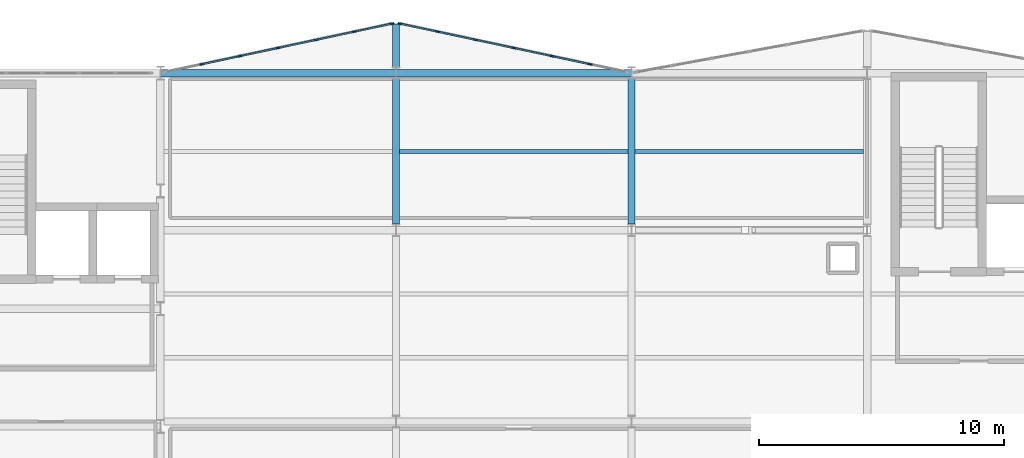
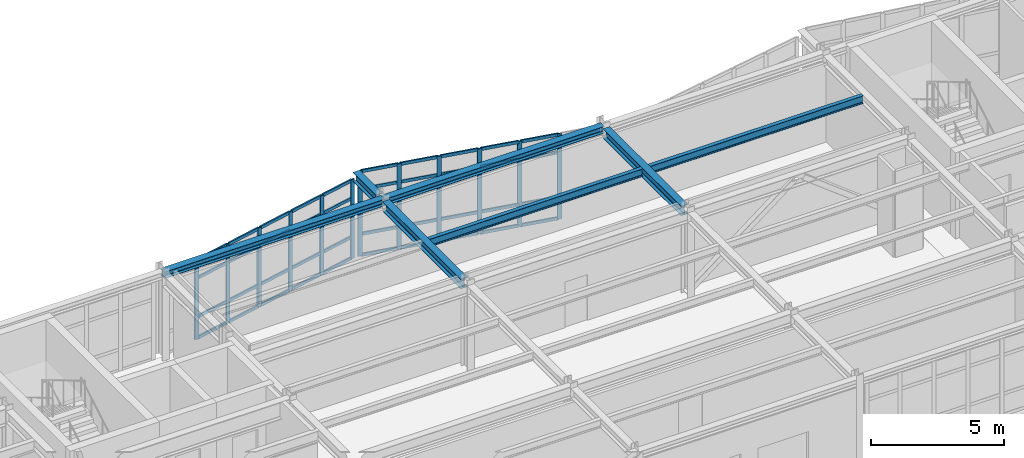
# One storey, part 37 of 88: 52 members, 7 beams, 2 elements without a shape of their own.
"""IFC4 building model written with IfcOpenShell, lengths in metres."""

from ifc_helpers import new_model, si_unit, direction, frame, origin, origin_2d, place, context, subcontext, project, spatial, rectangle, i_section, extrude, material, layer, layer_set, material_profile, profile_set, type_object, element, aggregate, save


model = new_model("IFC4")

# Units and contexts
model_context = context("Model", 3, precision=1e-05, world=origin(), true_north=direction((0.0, 1.0)))
body_context = subcontext(model_context, "Body", "Model", "MODEL_VIEW")
ifc_project = project(units=[si_unit("LENGTHUNIT", "METRE"), si_unit("AREAUNIT", "SQUARE_METRE"), si_unit("VOLUMEUNIT", "CUBIC_METRE"), si_unit("PLANEANGLEUNIT", "RADIAN"), si_unit("MASSUNIT", "GRAM", prefix="KILO")], contexts=[model_context])

# Site, building, storey
site_placement = place(None, origin())
site = spatial("IfcSite", under=ifc_project, at=site_placement, CompositionType="ELEMENT")
building_placement = place(site_placement, origin())
building = spatial("IfcBuilding", under=site, at=building_placement, Name="Nordkorset Police Headquarters", CompositionType="ELEMENT")
storey_placement = place(building_placement, frame((0.0, 0.0, 9.449951171875)))
storey = spatial("IfcBuildingStorey", under=building, at=storey_placement, Name="L02", CompositionType="ELEMENT", Elevation=9.449951171875)

# Beams
ifc_material_1 = material(Name="Steel S355J2", Category="steel")
ifc_material_profile_1 = material_profile(ifc_material_1, i_section(OverallWidth=0.169921875, OverallDepth=0.360107421875, WebThickness=0.008056640625, FlangeThickness=0.0126953125, FilletRadius=0.01806640625, at=origin_2d()), Name="IPE 360")
ifc_profile_set_1 = profile_set([ifc_material_profile_1], Name="Steel S355J2")
beam_type_1 = type_object("IfcBeamType", Name="Beam_IPE_360", PredefinedType="BEAM", material=ifc_profile_set_1)
for number, where, z_axis, x_axis, name in (
    (1, (38.550048828125, 113.60009765625, 3.7900390625), (1.0, 0.0, 0.0), (0.0, 1.0, 0.0), "Composite Floor Beam V2 L02 1-2-1"),
    (2, (48.14990234375, 113.60009765625, 3.7900390625), (1.0, 0.0, 0.0), (0.0, 1.0, 0.0), "Composite Floor Beam V2 L02 2-2-1"),
):
    element("IfcBeam", number, at=place(storey_placement, frame(where, z_axis=z_axis, x_axis=x_axis)), inside=storey, type_object=beam_type_1, Name=name, PredefinedType="BEAM", context=body_context, shape_type="SweptSolid", body=[
        extrude(i_section(OverallWidth=0.169921875, OverallDepth=0.360107421875, WebThickness=0.008056640625, FlangeThickness=0.0126953125, FilletRadius=0.01806640625, at=origin_2d()), origin(), (0.0, 0.0, 1.0), 9.300048828125),
    ])

# Curtain wall, members
ifc_material_2 = material(Name="Aluminium alloy AW-6060", Category="aluminium")
ifc_layer_1 = layer(ifc_material_2, 0.179931640625, Name="Aluminium alloy AW-6060")
ifc_layer_set_1 = layer_set([ifc_layer_1], Name="Aluminium alloy AW-6060")
curtain_wall_type_1 = type_object("IfcCurtainWallType", Name="CW_Unit_954x364", PredefinedType="USERDEFINED", material=ifc_layer_set_1)
curtain_wall_1_placement = place(storey_placement, origin())
curtain_wall_1 = element("IfcCurtainWall", 3, at=curtain_wall_1_placement, inside=storey, type_object=curtain_wall_type_1, Name="Unitised Curtain Wall L02 V2N-0", ObjectType="UNITISED CURTAIN WALL", PredefinedType="USERDEFINED")
ifc_material_3 = material(Name="Aluminium alloy AW-6060", Category="aluminium")
ifc_material_profile_2 = material_profile(ifc_material_3, rectangle(XDim=0.06494140625, YDim=0.179931640625, at=origin_2d()), Name="ALU MULL 65x180")
ifc_profile_set_2 = profile_set([ifc_material_profile_2], Name="Aluminium alloy AW-6060")
member_type_1 = type_object("IfcMemberType", Name="CW_Mullion_65x180", PredefinedType="MULLION", material=ifc_profile_set_2)
member_1_placement = place(storey_placement, frame((30.4912109375, 117.1611328125, 0.0), z_axis=(0.0, 0.0, 1.0), x_axis=(-0.208832534289, 0.977951416289, 0.0)))
member_1 = element("IfcMember", 4, at=member_1_placement, type_object=member_type_1, Name="CW-25 mullion 2", PredefinedType="MULLION", context=body_context, shape_type="SweptSolid", body=[
    extrude(rectangle(XDim=0.06494140625, YDim=0.179931640625, at=origin_2d()), origin(), (0.0, 0.0, 1.0), 3.64013671875),
])
member_2_placement = place(storey_placement, frame((32.045654296875, 117.4931640625, 0.0), z_axis=(0.0, 0.0, 1.0), x_axis=(-0.208832534289, 0.977951416289, 0.0)))
member_2 = element("IfcMember", 5, at=member_2_placement, type_object=member_type_1, Name="CW-25 mullion 3", PredefinedType="MULLION", context=body_context, shape_type="SweptSolid", body=[
    extrude(rectangle(XDim=0.06494140625, YDim=0.179931640625, at=origin_2d()), origin(), (0.0, 0.0, 1.0), 3.64013671875),
])
member_3_placement = place(storey_placement, frame((33.60009765625, 117.824951171875, 0.0), z_axis=(0.0, 0.0, 1.0), x_axis=(-0.208832534289, 0.977951416289, 0.0)))
member_3 = element("IfcMember", 6, at=member_3_placement, type_object=member_type_1, Name="CW-25 mullion 4", PredefinedType="MULLION", context=body_context, shape_type="SweptSolid", body=[
    extrude(rectangle(XDim=0.06494140625, YDim=0.179931640625, at=origin_2d()), origin(), (0.0, 0.0, 1.0), 3.64013671875),
])
member_4_placement = place(storey_placement, frame((35.154296875, 118.156982421875, 0.0), z_axis=(0.0, 0.0, 1.0), x_axis=(-0.208832534289, 0.977951416289, 0.0)))
member_4 = element("IfcMember", 7, at=member_4_placement, type_object=member_type_1, Name="CW-25 mullion 5", PredefinedType="MULLION", context=body_context, shape_type="SweptSolid", body=[
    extrude(rectangle(XDim=0.06494140625, YDim=0.179931640625, at=origin_2d()), origin(), (0.0, 0.0, 1.0), 3.64013671875),
])
member_5_placement = place(storey_placement, frame((36.708740234375, 118.48876953125, 0.0), z_axis=(0.0, 0.0, 1.0), x_axis=(-0.208832534289, 0.977951416289, 0.0)))
member_5 = element("IfcMember", 8, at=member_5_placement, type_object=member_type_1, Name="CW-25 mullion 6", PredefinedType="MULLION", context=body_context, shape_type="SweptSolid", body=[
    extrude(rectangle(XDim=0.06494140625, YDim=0.179931640625, at=origin_2d()), origin(), (0.0, 0.0, 1.0), 3.64013671875),
])
member_6_placement = place(storey_placement, frame((38.231201171875, 118.81396484375, 0.0), z_axis=(0.0, 0.0, 1.0), x_axis=(-0.208832534289, 0.977951416289, 0.0)))
member_6 = element("IfcMember", 9, at=member_6_placement, type_object=member_type_1, Name="CW-25 mullion 7", PredefinedType="MULLION", context=body_context, shape_type="SweptSolid", body=[
    extrude(rectangle(XDim=0.06494140625, YDim=0.179931640625, at=origin_2d()), origin(), (0.0, 0.0, 1.0), 3.64013671875),
])

ifc_material_4 = material(Name="Aluminium alloy AW-6060", Category="aluminium")
ifc_layer_2 = layer(ifc_material_4, 0.179931640625, Name="Aluminium alloy AW-6060")
ifc_layer_set_2 = layer_set([ifc_layer_2], Name="Aluminium alloy AW-6060")
curtain_wall_type_2 = type_object("IfcCurtainWallType", Name="CW_Unit_954x392", PredefinedType="USERDEFINED", material=ifc_layer_set_2)
curtain_wall_2_placement = place(storey_placement, origin())
curtain_wall_2 = element("IfcCurtainWall", 10, at=curtain_wall_2_placement, inside=storey, type_object=curtain_wall_type_2, Name="Unitised Curtain Wall L02 V2N-1", ObjectType="UNITISED CURTAIN WALL", PredefinedType="USERDEFINED")
member_7_placement = place(storey_placement, frame((38.568603515625, 118.81396484375, 0.0), z_axis=(0.0, 0.0, 1.0), x_axis=(0.208832534289, 0.977951416289, 0.0)))
member_7 = element("IfcMember", 11, at=member_7_placement, type_object=member_type_1, Name="CW-20 mullion 1", PredefinedType="MULLION", context=body_context, shape_type="SweptSolid", body=[
    extrude(rectangle(XDim=0.06494140625, YDim=0.179931640625, at=origin_2d()), origin(), (0.0, 0.0, 1.0), 3.920166015625),
])
member_8_placement = place(storey_placement, frame((40.09130859375, 118.48876953125, 0.0), z_axis=(0.0, 0.0, 1.0), x_axis=(0.208832534289, 0.977951416289, 0.0)))
member_8 = element("IfcMember", 12, at=member_8_placement, type_object=member_type_1, Name="CW-20 mullion 2", PredefinedType="MULLION", context=body_context, shape_type="SweptSolid", body=[
    extrude(rectangle(XDim=0.06494140625, YDim=0.179931640625, at=origin_2d()), origin(), (0.0, 0.0, 1.0), 3.920166015625),
])
member_9_placement = place(storey_placement, frame((41.645751953125, 118.156982421875, 0.0), z_axis=(0.0, 0.0, 1.0), x_axis=(0.208832534289, 0.977951416289, 0.0)))
member_9 = element("IfcMember", 13, at=member_9_placement, type_object=member_type_1, Name="CW-20 mullion 3", PredefinedType="MULLION", context=body_context, shape_type="SweptSolid", body=[
    extrude(rectangle(XDim=0.06494140625, YDim=0.179931640625, at=origin_2d()), origin(), (0.0, 0.0, 1.0), 3.920166015625),
])
member_10_placement = place(storey_placement, frame((43.199951171875, 117.824951171875, 0.0), z_axis=(0.0, 0.0, 1.0), x_axis=(0.208832534289, 0.977951416289, 0.0)))
member_10 = element("IfcMember", 14, at=member_10_placement, type_object=member_type_1, Name="CW-20 mullion 4", PredefinedType="MULLION", context=body_context, shape_type="SweptSolid", body=[
    extrude(rectangle(XDim=0.06494140625, YDim=0.179931640625, at=origin_2d()), origin(), (0.0, 0.0, 1.0), 3.920166015625),
])
member_11_placement = place(storey_placement, frame((44.75439453125, 117.4931640625, 0.0), z_axis=(0.0, 0.0, 1.0), x_axis=(0.208832534289, 0.977951416289, 0.0)))
member_11 = element("IfcMember", 15, at=member_11_placement, type_object=member_type_1, Name="CW-20 mullion 5", PredefinedType="MULLION", context=body_context, shape_type="SweptSolid", body=[
    extrude(rectangle(XDim=0.06494140625, YDim=0.179931640625, at=origin_2d()), origin(), (0.0, 0.0, 1.0), 3.920166015625),
])
member_12_placement = place(storey_placement, frame((46.308837890625, 117.1611328125, 0.0), z_axis=(0.0, 0.0, 1.0), x_axis=(0.208832534289, 0.977951416289, 0.0)))
member_12 = element("IfcMember", 16, at=member_12_placement, type_object=member_type_1, Name="CW-20 mullion 6", PredefinedType="MULLION", context=body_context, shape_type="SweptSolid", body=[
    extrude(rectangle(XDim=0.06494140625, YDim=0.179931640625, at=origin_2d()), origin(), (0.0, 0.0, 1.0), 3.920166015625),
])

# Member
ifc_material_5 = material(Name="Aluminium alloy AW-6060", Category="aluminium")
ifc_material_profile_3 = material_profile(ifc_material_5, rectangle(XDim=0.06494140625, YDim=0.139892578125, at=origin_2d()), Name="ALU TRAN 65x140")
ifc_profile_set_3 = profile_set([ifc_material_profile_3], Name="Aluminium alloy AW-6060")
member_type_2 = type_object("IfcMemberType", Name="CW_Transom_65x140", PredefinedType="USERDEFINED", material=ifc_profile_set_3)
member_13_placement = place(storey_placement, frame((30.52294921875, 117.16796875, 0.032470703125), z_axis=(0.977954480787, 0.208818182896, 0.0), x_axis=(-0.208818182896, 0.977954480787, 0.0)))
member_13 = element("IfcMember", 17, at=member_13_placement, type_object=member_type_2, Name="CW-25 transom 2.1", ObjectType="TRANSOM", PredefinedType="USERDEFINED", context=body_context, shape_type="SweptSolid", body=[
    extrude(rectangle(XDim=0.06494140625, YDim=0.139892578125, at=origin_2d()), origin(), (0.0, 0.0, 1.0), 1.524658203125),
])

member_14_placement = place(storey_placement, frame((30.52294921875, 117.16796875, 1.0), z_axis=(0.977954480787, 0.208818182896, 0.0), x_axis=(-0.208818182896, 0.977954480787, 0.0)))
member_14 = element("IfcMember", 18, at=member_14_placement, type_object=member_type_2, Name="CW-25 transom 2.2", ObjectType="TRANSOM", PredefinedType="USERDEFINED", context=body_context, shape_type="SweptSolid", body=[
    extrude(rectangle(XDim=0.06494140625, YDim=0.139892578125, at=origin_2d()), origin(), (0.0, 0.0, 1.0), 1.524658203125),
])

member_15_placement = place(storey_placement, frame((30.52294921875, 117.16796875, 2.7900390625), z_axis=(0.977954480787, 0.208818182896, 0.0), x_axis=(-0.208818182896, 0.977954480787, 0.0)))
member_15 = element("IfcMember", 19, at=member_15_placement, type_object=member_type_2, Name="CW-25 transom 2.3", ObjectType="TRANSOM", PredefinedType="USERDEFINED", context=body_context, shape_type="SweptSolid", body=[
    extrude(rectangle(XDim=0.06494140625, YDim=0.139892578125, at=origin_2d()), origin(), (0.0, 0.0, 1.0), 1.524658203125),
])

member_16_placement = place(storey_placement, frame((30.52294921875, 117.16796875, 3.607666015625), z_axis=(0.977954480787, 0.208818182896, 0.0), x_axis=(-0.208818182896, 0.977954480787, 0.0)))
member_16 = element("IfcMember", 20, at=member_16_placement, type_object=member_type_2, Name="CW-25 transom 2.4", ObjectType="TRANSOM", PredefinedType="USERDEFINED", context=body_context, shape_type="SweptSolid", body=[
    extrude(rectangle(XDim=0.06494140625, YDim=0.139892578125, at=origin_2d()), origin(), (0.0, 0.0, 1.0), 1.524658203125),
])

member_17_placement = place(storey_placement, frame((32.077392578125, 117.499755859375, 0.032470703125), z_axis=(0.977947496383, 0.208850890154, 0.0), x_axis=(-0.208850890154, 0.977947496383, 0.0)))
member_17 = element("IfcMember", 21, at=member_17_placement, type_object=member_type_2, Name="CW-25 transom 3.1", ObjectType="TRANSOM", PredefinedType="USERDEFINED", context=body_context, shape_type="SweptSolid", body=[
    extrude(rectangle(XDim=0.06494140625, YDim=0.139892578125, at=origin_2d()), origin(), (0.0, 0.0, 1.0), 1.5244140625),
])

member_18_placement = place(storey_placement, frame((32.077392578125, 117.499755859375, 1.0), z_axis=(0.977947496383, 0.208850890154, 0.0), x_axis=(-0.208850890154, 0.977947496383, 0.0)))
member_18 = element("IfcMember", 22, at=member_18_placement, type_object=member_type_2, Name="CW-25 transom 3.2", ObjectType="TRANSOM", PredefinedType="USERDEFINED", context=body_context, shape_type="SweptSolid", body=[
    extrude(rectangle(XDim=0.06494140625, YDim=0.139892578125, at=origin_2d()), origin(), (0.0, 0.0, 1.0), 1.5244140625),
])

member_19_placement = place(storey_placement, frame((32.077392578125, 117.499755859375, 2.7900390625), z_axis=(0.977947496383, 0.208850890154, 0.0), x_axis=(-0.208850890154, 0.977947496383, 0.0)))
member_19 = element("IfcMember", 23, at=member_19_placement, type_object=member_type_2, Name="CW-25 transom 3.3", ObjectType="TRANSOM", PredefinedType="USERDEFINED", context=body_context, shape_type="SweptSolid", body=[
    extrude(rectangle(XDim=0.06494140625, YDim=0.139892578125, at=origin_2d()), origin(), (0.0, 0.0, 1.0), 1.5244140625),
])

member_20_placement = place(storey_placement, frame((32.077392578125, 117.499755859375, 3.607666015625), z_axis=(0.977947496383, 0.208850890154, 0.0), x_axis=(-0.208850890154, 0.977947496383, 0.0)))
member_20 = element("IfcMember", 24, at=member_20_placement, type_object=member_type_2, Name="CW-25 transom 3.4", ObjectType="TRANSOM", PredefinedType="USERDEFINED", context=body_context, shape_type="SweptSolid", body=[
    extrude(rectangle(XDim=0.06494140625, YDim=0.139892578125, at=origin_2d()), origin(), (0.0, 0.0, 1.0), 1.5244140625),
])

member_21_placement = place(storey_placement, frame((33.6318359375, 117.831787109375, 0.032470703125), z_axis=(0.977947496383, 0.208850890154, 0.0), x_axis=(-0.208850890154, 0.977947496383, 0.0)))
member_21 = element("IfcMember", 25, at=member_21_placement, type_object=member_type_2, Name="CW-25 transom 4.1", ObjectType="TRANSOM", PredefinedType="USERDEFINED", context=body_context, shape_type="SweptSolid", body=[
    extrude(rectangle(XDim=0.06494140625, YDim=0.139892578125, at=origin_2d()), origin(), (0.0, 0.0, 1.0), 1.5244140625),
])

member_22_placement = place(storey_placement, frame((33.6318359375, 117.831787109375, 1.0), z_axis=(0.977947496383, 0.208850890154, 0.0), x_axis=(-0.208850890154, 0.977947496383, 0.0)))
member_22 = element("IfcMember", 26, at=member_22_placement, type_object=member_type_2, Name="CW-25 transom 4.2", ObjectType="TRANSOM", PredefinedType="USERDEFINED", context=body_context, shape_type="SweptSolid", body=[
    extrude(rectangle(XDim=0.06494140625, YDim=0.139892578125, at=origin_2d()), origin(), (0.0, 0.0, 1.0), 1.5244140625),
])

member_23_placement = place(storey_placement, frame((33.6318359375, 117.831787109375, 2.7900390625), z_axis=(0.977947496383, 0.208850890154, 0.0), x_axis=(-0.208850890154, 0.977947496383, 0.0)))
member_23 = element("IfcMember", 27, at=member_23_placement, type_object=member_type_2, Name="CW-25 transom 4.3", ObjectType="TRANSOM", PredefinedType="USERDEFINED", context=body_context, shape_type="SweptSolid", body=[
    extrude(rectangle(XDim=0.06494140625, YDim=0.139892578125, at=origin_2d()), origin(), (0.0, 0.0, 1.0), 1.5244140625),
])

member_24_placement = place(storey_placement, frame((33.6318359375, 117.831787109375, 3.607666015625), z_axis=(0.977947496383, 0.208850890154, 0.0), x_axis=(-0.208850890154, 0.977947496383, 0.0)))
member_24 = element("IfcMember", 28, at=member_24_placement, type_object=member_type_2, Name="CW-25 transom 4.4", ObjectType="TRANSOM", PredefinedType="USERDEFINED", context=body_context, shape_type="SweptSolid", body=[
    extrude(rectangle(XDim=0.06494140625, YDim=0.139892578125, at=origin_2d()), origin(), (0.0, 0.0, 1.0), 1.5244140625),
])

member_25_placement = place(storey_placement, frame((35.18603515625, 118.163818359375, 0.032470703125), z_axis=(0.97798717214, 0.208665021336, 0.0), x_axis=(-0.208665021336, 0.97798717214, 0.0)))
member_25 = element("IfcMember", 29, at=member_25_placement, type_object=member_type_2, Name="CW-25 transom 5.1", ObjectType="TRANSOM", PredefinedType="USERDEFINED", context=body_context, shape_type="SweptSolid", body=[
    extrude(rectangle(XDim=0.06494140625, YDim=0.139892578125, at=origin_2d()), origin(), (0.0, 0.0, 1.0), 1.5244140625),
])

member_26_placement = place(storey_placement, frame((35.18603515625, 118.163818359375, 1.0), z_axis=(0.97798717214, 0.208665021336, 0.0), x_axis=(-0.208665021336, 0.97798717214, 0.0)))
member_26 = element("IfcMember", 30, at=member_26_placement, type_object=member_type_2, Name="CW-25 transom 5.2", ObjectType="TRANSOM", PredefinedType="USERDEFINED", context=body_context, shape_type="SweptSolid", body=[
    extrude(rectangle(XDim=0.06494140625, YDim=0.139892578125, at=origin_2d()), origin(), (0.0, 0.0, 1.0), 1.5244140625),
])

member_27_placement = place(storey_placement, frame((35.18603515625, 118.163818359375, 2.7900390625), z_axis=(0.97798717214, 0.208665021336, 0.0), x_axis=(-0.208665021336, 0.97798717214, 0.0)))
member_27 = element("IfcMember", 31, at=member_27_placement, type_object=member_type_2, Name="CW-25 transom 5.3", ObjectType="TRANSOM", PredefinedType="USERDEFINED", context=body_context, shape_type="SweptSolid", body=[
    extrude(rectangle(XDim=0.06494140625, YDim=0.139892578125, at=origin_2d()), origin(), (0.0, 0.0, 1.0), 1.5244140625),
])

member_28_placement = place(storey_placement, frame((35.18603515625, 118.163818359375, 3.607666015625), z_axis=(0.97798717214, 0.208665021336, 0.0), x_axis=(-0.208665021336, 0.97798717214, 0.0)))
member_28 = element("IfcMember", 32, at=member_28_placement, type_object=member_type_2, Name="CW-25 transom 5.4", ObjectType="TRANSOM", PredefinedType="USERDEFINED", context=body_context, shape_type="SweptSolid", body=[
    extrude(rectangle(XDim=0.06494140625, YDim=0.139892578125, at=origin_2d()), origin(), (0.0, 0.0, 1.0), 1.5244140625),
])

member_29_placement = place(storey_placement, frame((36.740478515625, 118.49560546875, 0.032470703125), z_axis=(0.977955422008, 0.208813774846, 0.0), x_axis=(-0.208813774846, 0.977955422008, 0.0)))
member_29 = element("IfcMember", 33, at=member_29_placement, type_object=member_type_2, Name="CW-25 transom 6.1", ObjectType="TRANSOM", PredefinedType="USERDEFINED", context=body_context, shape_type="SweptSolid", body=[
    extrude(rectangle(XDim=0.06494140625, YDim=0.139892578125, at=origin_2d()), origin(), (0.0, 0.0, 1.0), 1.491943359375),
])

member_30_placement = place(storey_placement, frame((36.740478515625, 118.49560546875, 1.0), z_axis=(0.977955422008, 0.208813774846, 0.0), x_axis=(-0.208813774846, 0.977955422008, 0.0)))
member_30 = element("IfcMember", 34, at=member_30_placement, type_object=member_type_2, Name="CW-25 transom 6.2", ObjectType="TRANSOM", PredefinedType="USERDEFINED", context=body_context, shape_type="SweptSolid", body=[
    extrude(rectangle(XDim=0.06494140625, YDim=0.139892578125, at=origin_2d()), origin(), (0.0, 0.0, 1.0), 1.491943359375),
])

member_31_placement = place(storey_placement, frame((36.740478515625, 118.49560546875, 2.7900390625), z_axis=(0.977955422008, 0.208813774846, 0.0), x_axis=(-0.208813774846, 0.977955422008, 0.0)))
member_31 = element("IfcMember", 35, at=member_31_placement, type_object=member_type_2, Name="CW-25 transom 6.3", ObjectType="TRANSOM", PredefinedType="USERDEFINED", context=body_context, shape_type="SweptSolid", body=[
    extrude(rectangle(XDim=0.06494140625, YDim=0.139892578125, at=origin_2d()), origin(), (0.0, 0.0, 1.0), 1.491943359375),
])

member_32_placement = place(storey_placement, frame((36.740478515625, 118.49560546875, 3.607666015625), z_axis=(0.977955422008, 0.208813774846, 0.0), x_axis=(-0.208813774846, 0.977955422008, 0.0)))
member_32 = element("IfcMember", 36, at=member_32_placement, type_object=member_type_2, Name="CW-25 transom 6.4", ObjectType="TRANSOM", PredefinedType="USERDEFINED", context=body_context, shape_type="SweptSolid", body=[
    extrude(rectangle(XDim=0.06494140625, YDim=0.139892578125, at=origin_2d()), origin(), (0.0, 0.0, 1.0), 1.491943359375),
])

aggregate(curtain_wall_1, [member_1, member_2, member_3, member_4, member_5, member_6, member_13, member_14, member_15, member_16, member_17, member_18, member_19, member_20, member_21, member_22, member_23, member_24, member_25, member_26, member_27, member_28, member_29, member_30, member_31, member_32])

member_33_placement = place(storey_placement, frame((38.6005859375, 118.80712890625, 0.032470703125), z_axis=(0.977955422008, -0.208813774846, 0.0), x_axis=(0.208813774846, 0.977955422008, 0.0)))
member_33 = element("IfcMember", 37, at=member_33_placement, type_object=member_type_2, Name="CW-20 transom 1.1", ObjectType="TRANSOM", PredefinedType="USERDEFINED", context=body_context, shape_type="SweptSolid", body=[
    extrude(rectangle(XDim=0.06494140625, YDim=0.139892578125, at=origin_2d()), origin(), (0.0, 0.0, 1.0), 1.491943359375),
])

member_34_placement = place(storey_placement, frame((38.6005859375, 118.80712890625, 1.0), z_axis=(0.977955422008, -0.208813774846, 0.0), x_axis=(0.208813774846, 0.977955422008, 0.0)))
member_34 = element("IfcMember", 38, at=member_34_placement, type_object=member_type_2, Name="CW-20 transom 1.2", ObjectType="TRANSOM", PredefinedType="USERDEFINED", context=body_context, shape_type="SweptSolid", body=[
    extrude(rectangle(XDim=0.06494140625, YDim=0.139892578125, at=origin_2d()), origin(), (0.0, 0.0, 1.0), 1.491943359375),
])

member_35_placement = place(storey_placement, frame((38.6005859375, 118.80712890625, 3.070068359375), z_axis=(0.977955422008, -0.208813774846, 0.0), x_axis=(0.208813774846, 0.977955422008, 0.0)))
member_35 = element("IfcMember", 39, at=member_35_placement, type_object=member_type_2, Name="CW-20 transom 1.3", ObjectType="TRANSOM", PredefinedType="USERDEFINED", context=body_context, shape_type="SweptSolid", body=[
    extrude(rectangle(XDim=0.06494140625, YDim=0.139892578125, at=origin_2d()), origin(), (0.0, 0.0, 1.0), 1.491943359375),
])

member_36_placement = place(storey_placement, frame((38.6005859375, 118.80712890625, 3.887451171875), z_axis=(0.977955422008, -0.208813774846, 0.0), x_axis=(0.208813774846, 0.977955422008, 0.0)))
member_36 = element("IfcMember", 40, at=member_36_placement, type_object=member_type_2, Name="CW-20 transom 1.4", ObjectType="TRANSOM", PredefinedType="USERDEFINED", context=body_context, shape_type="SweptSolid", body=[
    extrude(rectangle(XDim=0.06494140625, YDim=0.139892578125, at=origin_2d()), origin(), (0.0, 0.0, 1.0), 1.491943359375),
])

member_37_placement = place(storey_placement, frame((40.123046875, 118.48193359375, 0.032470703125), z_axis=(0.977980197745, -0.20869770679, 0.0), x_axis=(0.20869770679, 0.977980197745, 0.0)))
member_37 = element("IfcMember", 41, at=member_37_placement, type_object=member_type_2, Name="CW-20 transom 2.1", ObjectType="TRANSOM", PredefinedType="USERDEFINED", context=body_context, shape_type="SweptSolid", body=[
    extrude(rectangle(XDim=0.06494140625, YDim=0.139892578125, at=origin_2d()), origin(), (0.0, 0.0, 1.0), 1.524169921875),
])

member_38_placement = place(storey_placement, frame((40.123046875, 118.48193359375, 1.0), z_axis=(0.977980197745, -0.20869770679, 0.0), x_axis=(0.20869770679, 0.977980197745, 0.0)))
member_38 = element("IfcMember", 42, at=member_38_placement, type_object=member_type_2, Name="CW-20 transom 2.2", ObjectType="TRANSOM", PredefinedType="USERDEFINED", context=body_context, shape_type="SweptSolid", body=[
    extrude(rectangle(XDim=0.06494140625, YDim=0.139892578125, at=origin_2d()), origin(), (0.0, 0.0, 1.0), 1.524169921875),
])

member_39_placement = place(storey_placement, frame((40.123046875, 118.48193359375, 3.070068359375), z_axis=(0.977980197745, -0.20869770679, 0.0), x_axis=(0.20869770679, 0.977980197745, 0.0)))
member_39 = element("IfcMember", 43, at=member_39_placement, type_object=member_type_2, Name="CW-20 transom 2.3", ObjectType="TRANSOM", PredefinedType="USERDEFINED", context=body_context, shape_type="SweptSolid", body=[
    extrude(rectangle(XDim=0.06494140625, YDim=0.139892578125, at=origin_2d()), origin(), (0.0, 0.0, 1.0), 1.524169921875),
])

member_40_placement = place(storey_placement, frame((40.123046875, 118.48193359375, 3.887451171875), z_axis=(0.977980197745, -0.20869770679, 0.0), x_axis=(0.20869770679, 0.977980197745, 0.0)))
member_40 = element("IfcMember", 44, at=member_40_placement, type_object=member_type_2, Name="CW-20 transom 2.4", ObjectType="TRANSOM", PredefinedType="USERDEFINED", context=body_context, shape_type="SweptSolid", body=[
    extrude(rectangle(XDim=0.06494140625, YDim=0.139892578125, at=origin_2d()), origin(), (0.0, 0.0, 1.0), 1.524169921875),
])

member_41_placement = place(storey_placement, frame((41.677490234375, 118.150146484375, 0.032470703125), z_axis=(0.977947496383, -0.208850890154, 0.0), x_axis=(0.208850890154, 0.977947496383, 0.0)))
member_41 = element("IfcMember", 45, at=member_41_placement, type_object=member_type_2, Name="CW-20 transom 3.1", ObjectType="TRANSOM", PredefinedType="USERDEFINED", context=body_context, shape_type="SweptSolid", body=[
    extrude(rectangle(XDim=0.06494140625, YDim=0.139892578125, at=origin_2d()), origin(), (0.0, 0.0, 1.0), 1.5244140625),
])

member_42_placement = place(storey_placement, frame((41.677490234375, 118.150146484375, 1.0), z_axis=(0.977947496383, -0.208850890154, 0.0), x_axis=(0.208850890154, 0.977947496383, 0.0)))
member_42 = element("IfcMember", 46, at=member_42_placement, type_object=member_type_2, Name="CW-20 transom 3.2", ObjectType="TRANSOM", PredefinedType="USERDEFINED", context=body_context, shape_type="SweptSolid", body=[
    extrude(rectangle(XDim=0.06494140625, YDim=0.139892578125, at=origin_2d()), origin(), (0.0, 0.0, 1.0), 1.5244140625),
])

member_43_placement = place(storey_placement, frame((41.677490234375, 118.150146484375, 3.070068359375), z_axis=(0.977947496383, -0.208850890154, 0.0), x_axis=(0.208850890154, 0.977947496383, 0.0)))
member_43 = element("IfcMember", 47, at=member_43_placement, type_object=member_type_2, Name="CW-20 transom 3.3", ObjectType="TRANSOM", PredefinedType="USERDEFINED", context=body_context, shape_type="SweptSolid", body=[
    extrude(rectangle(XDim=0.06494140625, YDim=0.139892578125, at=origin_2d()), origin(), (0.0, 0.0, 1.0), 1.5244140625),
])

member_44_placement = place(storey_placement, frame((41.677490234375, 118.150146484375, 3.887451171875), z_axis=(0.977947496383, -0.208850890154, 0.0), x_axis=(0.208850890154, 0.977947496383, 0.0)))
member_44 = element("IfcMember", 48, at=member_44_placement, type_object=member_type_2, Name="CW-20 transom 3.4", ObjectType="TRANSOM", PredefinedType="USERDEFINED", context=body_context, shape_type="SweptSolid", body=[
    extrude(rectangle(XDim=0.06494140625, YDim=0.139892578125, at=origin_2d()), origin(), (0.0, 0.0, 1.0), 1.5244140625),
])

member_45_placement = place(storey_placement, frame((43.231689453125, 117.818115234375, 0.032470703125), z_axis=(0.977954480787, -0.208818182896, 0.0), x_axis=(0.208818182896, 0.977954480787, 0.0)))
member_45 = element("IfcMember", 49, at=member_45_placement, type_object=member_type_2, Name="CW-20 transom 4.1", ObjectType="TRANSOM", PredefinedType="USERDEFINED", context=body_context, shape_type="SweptSolid", body=[
    extrude(rectangle(XDim=0.06494140625, YDim=0.139892578125, at=origin_2d()), origin(), (0.0, 0.0, 1.0), 1.524658203125),
])

member_46_placement = place(storey_placement, frame((43.231689453125, 117.818115234375, 1.0), z_axis=(0.977954480787, -0.208818182896, 0.0), x_axis=(0.208818182896, 0.977954480787, 0.0)))
member_46 = element("IfcMember", 50, at=member_46_placement, type_object=member_type_2, Name="CW-20 transom 4.2", ObjectType="TRANSOM", PredefinedType="USERDEFINED", context=body_context, shape_type="SweptSolid", body=[
    extrude(rectangle(XDim=0.06494140625, YDim=0.139892578125, at=origin_2d()), origin(), (0.0, 0.0, 1.0), 1.524658203125),
])

member_47_placement = place(storey_placement, frame((43.231689453125, 117.818115234375, 3.070068359375), z_axis=(0.977954480787, -0.208818182896, 0.0), x_axis=(0.208818182896, 0.977954480787, 0.0)))
member_47 = element("IfcMember", 51, at=member_47_placement, type_object=member_type_2, Name="CW-20 transom 4.3", ObjectType="TRANSOM", PredefinedType="USERDEFINED", context=body_context, shape_type="SweptSolid", body=[
    extrude(rectangle(XDim=0.06494140625, YDim=0.139892578125, at=origin_2d()), origin(), (0.0, 0.0, 1.0), 1.524658203125),
])

member_48_placement = place(storey_placement, frame((43.231689453125, 117.818115234375, 3.887451171875), z_axis=(0.977954480787, -0.208818182896, 0.0), x_axis=(0.208818182896, 0.977954480787, 0.0)))
member_48 = element("IfcMember", 52, at=member_48_placement, type_object=member_type_2, Name="CW-20 transom 4.4", ObjectType="TRANSOM", PredefinedType="USERDEFINED", context=body_context, shape_type="SweptSolid", body=[
    extrude(rectangle(XDim=0.06494140625, YDim=0.139892578125, at=origin_2d()), origin(), (0.0, 0.0, 1.0), 1.524658203125),
])

member_49_placement = place(storey_placement, frame((44.7861328125, 117.486328125, 0.032470703125), z_axis=(0.977947496383, -0.208850890154, 0.0), x_axis=(0.208850890154, 0.977947496383, 0.0)))
member_49 = element("IfcMember", 53, at=member_49_placement, type_object=member_type_2, Name="CW-20 transom 5.1", ObjectType="TRANSOM", PredefinedType="USERDEFINED", context=body_context, shape_type="SweptSolid", body=[
    extrude(rectangle(XDim=0.06494140625, YDim=0.139892578125, at=origin_2d()), origin(), (0.0, 0.0, 1.0), 1.5244140625),
])

member_50_placement = place(storey_placement, frame((44.7861328125, 117.486328125, 1.0), z_axis=(0.977947496383, -0.208850890154, 0.0), x_axis=(0.208850890154, 0.977947496383, 0.0)))
member_50 = element("IfcMember", 54, at=member_50_placement, type_object=member_type_2, Name="CW-20 transom 5.2", ObjectType="TRANSOM", PredefinedType="USERDEFINED", context=body_context, shape_type="SweptSolid", body=[
    extrude(rectangle(XDim=0.06494140625, YDim=0.139892578125, at=origin_2d()), origin(), (0.0, 0.0, 1.0), 1.5244140625),
])

member_51_placement = place(storey_placement, frame((44.7861328125, 117.486328125, 3.070068359375), z_axis=(0.977947496383, -0.208850890154, 0.0), x_axis=(0.208850890154, 0.977947496383, 0.0)))
member_51 = element("IfcMember", 55, at=member_51_placement, type_object=member_type_2, Name="CW-20 transom 5.3", ObjectType="TRANSOM", PredefinedType="USERDEFINED", context=body_context, shape_type="SweptSolid", body=[
    extrude(rectangle(XDim=0.06494140625, YDim=0.139892578125, at=origin_2d()), origin(), (0.0, 0.0, 1.0), 1.5244140625),
])

member_52_placement = place(storey_placement, frame((44.7861328125, 117.486328125, 3.887451171875), z_axis=(0.977947496383, -0.208850890154, 0.0), x_axis=(0.208850890154, 0.977947496383, 0.0)))
member_52 = element("IfcMember", 56, at=member_52_placement, type_object=member_type_2, Name="CW-20 transom 5.4", ObjectType="TRANSOM", PredefinedType="USERDEFINED", context=body_context, shape_type="SweptSolid", body=[
    extrude(rectangle(XDim=0.06494140625, YDim=0.139892578125, at=origin_2d()), origin(), (0.0, 0.0, 1.0), 1.5244140625),
])

aggregate(curtain_wall_2, [member_7, member_8, member_9, member_10, member_11, member_12, member_33, member_34, member_35, member_36, member_37, member_38, member_39, member_40, member_41, member_42, member_43, member_44, member_45, member_46, member_47, member_48, member_49, member_50, member_51, member_52])

# Beams
ifc_material_6 = material(Name="Steel S355J2", Category="steel")
ifc_material_profile_4 = material_profile(ifc_material_6, i_section(OverallWidth=0.300048828125, OverallDepth=0.43994140625, WebThickness=0.011474609375, FlangeThickness=0.02099609375, FilletRadius=0.027099609375, at=origin_2d()), Name="HEA 450")
ifc_profile_set_4 = profile_set([ifc_material_profile_4], Name="Steel S355J2")
beam_type_2 = type_object("IfcBeamType", Name="Girder_HEA_450", PredefinedType="USERDEFINED", material=ifc_profile_set_4)
for number, where, z_axis, x_axis, name in (
    (57, (38.39990234375, 110.64990234375, 3.75), (0.0, 1.0, 0.0), (-1.0, 0.0, 0.0), "Girder V2 L02 GY-1-2"),
    (58, (48.0, 110.64990234375, 3.75), (0.0, 1.0, 0.0), (-1.0, 0.0, 0.0), "Girder V2 L02 GY-2-2"),
):
    element("IfcBeam", number, at=place(storey_placement, frame(where, z_axis=z_axis, x_axis=x_axis)), inside=storey, type_object=beam_type_2, Name=name, ObjectType="GIRDER", PredefinedType="USERDEFINED", context=body_context, shape_type="SweptSolid", body=[
        extrude(i_section(OverallWidth=0.300048828125, OverallDepth=0.43994140625, WebThickness=0.011474609375, FlangeThickness=0.02099609375, FilletRadius=0.027099609375, at=origin_2d()), origin(), (0.0, 0.0, 1.0), 5.900146484375),
    ])
beam_1_placement = place(storey_placement, frame((38.39990234375, 117.050048828125, 3.75), z_axis=(0.0, 1.0, 0.0), x_axis=(-1.0, 0.0, 0.0)))
element("IfcBeam", 59, at=beam_1_placement, inside=storey, type_object=beam_type_2, Name="Sawtooth Facade Outrigger V2 L02 38", ObjectType="GIRDER", PredefinedType="USERDEFINED", context=body_context, shape_type="SweptSolid", body=[
    extrude(i_section(OverallWidth=0.300048828125, OverallDepth=0.43994140625, WebThickness=0.011474609375, FlangeThickness=0.02099609375, FilletRadius=0.027099609375, at=origin_2d()), origin(), (0.0, 0.0, 1.0), 1.739990234375),
])
ifc_material_7 = material(Name="Steel S355J2", Category="steel")
ifc_material_profile_5 = material_profile(ifc_material_7, i_section(OverallWidth=0.300048828125, OverallDepth=0.31005859375, WebThickness=0.009033203125, FlangeThickness=0.015380859375, FilletRadius=0.027099609375, at=origin_2d()), Name="HEA 320")
ifc_profile_set_5 = profile_set([ifc_material_profile_5], Name="Steel S355J2")
beam_type_3 = type_object("IfcBeamType", Name="Spandrel_HEA_320", PredefinedType="SPANDREL", material=ifc_profile_set_5)
beam_2_placement = place(storey_placement, frame((28.8076171875, 116.800048828125, 3.81494140625), z_axis=(1.0, 0.0, 0.0), x_axis=(0.0, 1.0, 0.0)))
element("IfcBeam", 60, at=beam_2_placement, inside=storey, type_object=beam_type_3, Name="Girder V2 L02 GX-3-0", PredefinedType="SPANDREL", context=body_context, shape_type="SweptSolid", body=[
    extrude(i_section(OverallWidth=0.300048828125, OverallDepth=0.31005859375, WebThickness=0.009033203125, FlangeThickness=0.015380859375, FilletRadius=0.027099609375, at=origin_2d()), origin(), (0.0, 0.0, 1.0), 9.5849609375),
])
beam_3_placement = place(storey_placement, frame((38.4072265625, 116.800048828125, 3.81494140625), z_axis=(1.0, 0.0, 0.0), x_axis=(0.0, 1.0, 0.0)))
element("IfcBeam", 61, at=beam_3_placement, inside=storey, type_object=beam_type_3, Name="Girder V2 L02 GX-3-1", PredefinedType="SPANDREL", context=body_context, shape_type="SweptSolid", body=[
    extrude(i_section(OverallWidth=0.300048828125, OverallDepth=0.31005859375, WebThickness=0.009033203125, FlangeThickness=0.015380859375, FilletRadius=0.027099609375, at=origin_2d()), origin(), (0.0, 0.0, 1.0), 9.58544921875),
])

save(model, "model.ifc")
